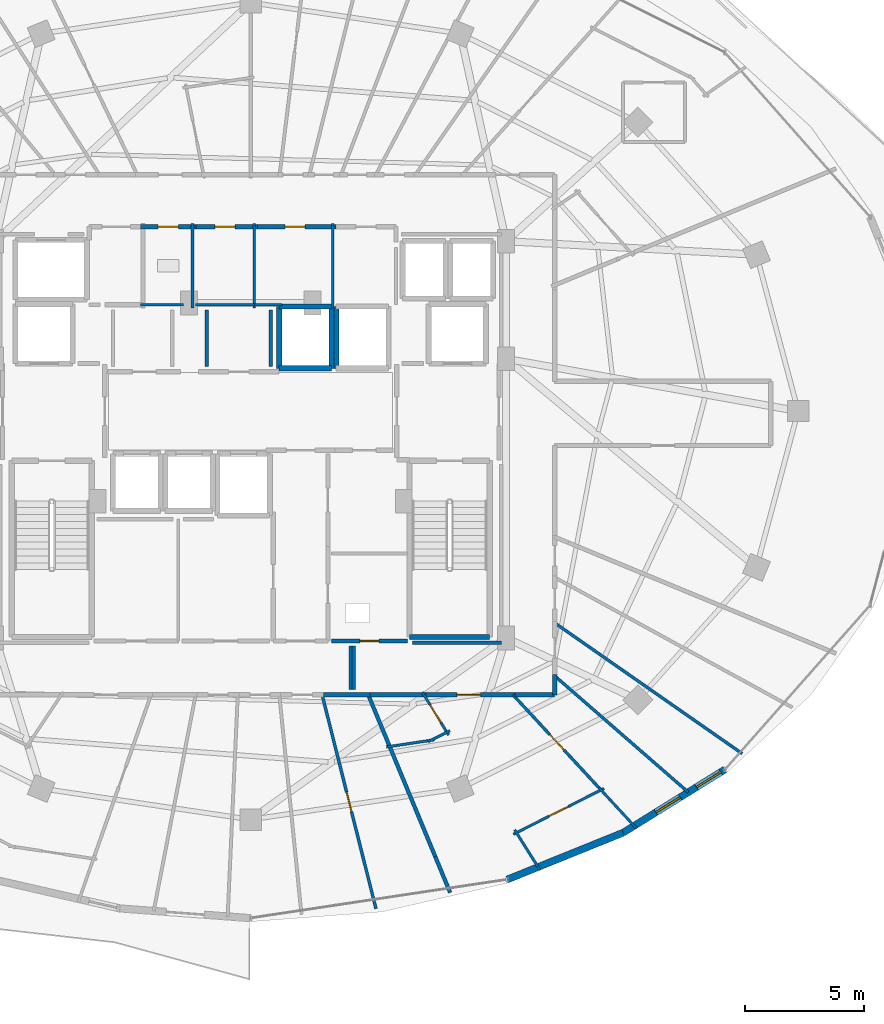
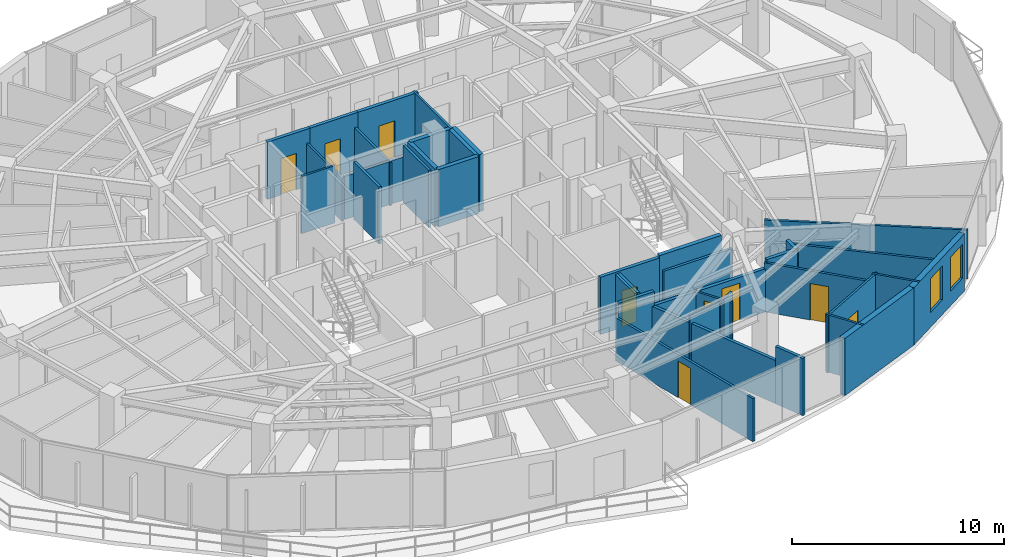
# One storey, part 27 of 33: 40 walls, 9 doors, 2 windows, 11 openings.
"""IFC4 building model written with IfcOpenShell, lengths in metres."""

from ifc_helpers import new_model, si_unit, direction, frame, frame_2d, origin, place, context, subcontext, project, spatial, rectangle, extrude, material, layer, layer_set, type_object, element, fill, save


model = new_model("IFC4")

# Units and contexts
model_context = context("Model", 3, precision=1e-05, world=origin(), true_north=direction((0.0, 1.0)))
body_context = subcontext(model_context, "Body", "Model", "MODEL_VIEW")
ifc_project = project(units=[si_unit("LENGTHUNIT", "METRE"), si_unit("AREAUNIT", "SQUARE_METRE"), si_unit("VOLUMEUNIT", "CUBIC_METRE"), si_unit("PLANEANGLEUNIT", "RADIAN"), si_unit("MASSUNIT", "GRAM", prefix="KILO")], contexts=[model_context])

# Site, building, storey
site_placement = place(None, origin())
site = spatial("IfcSite", under=ifc_project, at=site_placement, CompositionType="ELEMENT")
building_placement = place(site_placement, origin())
building = spatial("IfcBuilding", under=site, at=building_placement, Name="Vorneva Point Tower", CompositionType="ELEMENT")
storey_placement = place(building_placement, frame((0.0, 0.0, 217.85009765625)))
storey = spatial("IfcBuildingStorey", under=building, at=storey_placement, Name="L59", CompositionType="ELEMENT", Elevation=217.85009765625)

# Wall
ifc_material_1 = material(Name="Precast concrete B50 (C40/50)", Category="concrete")
ifc_layer_1 = layer(ifc_material_1, 0.300048828125)
ifc_layer_set_1 = layer_set([ifc_layer_1], Name="Precast concrete B50 (C40/50)")
wall_type_1 = type_object("IfcWallType", Name="WL-EXT-300", PredefinedType="STANDARD", material=ifc_layer_set_1)
wall_1_placement = place(storey_placement, frame((48.80322265625, 6.275146484375, 0.0), z_axis=(0.0, 0.0, 1.0), x_axis=(0.927111094334, 0.374786630981, 0.0)))
element("IfcWall", 1, at=wall_1_placement, inside=storey, type_object=wall_type_1, Name="L59 Pale-Metal Facade Spandrel Wall 14.1", PredefinedType="STANDARD", context=body_context, shape_type="SweptSolid", body=[
    extrude(rectangle(XDim=5.26416015625, YDim=0.300048828125, at=frame_2d((2.632080078125, 0.0))), origin(), (0.0, 0.0, 1.0), 3.289794921875),
])

# Wall, openings, windows
wall_2_placement = place(storey_placement, frame((53.68359375, 8.248046875, 0.0), z_axis=(0.0, 0.0, 1.0), x_axis=(0.849647657754, 0.527350791858, 0.0)))
wall_2 = element("IfcWall", 2, at=wall_2_placement, inside=storey, type_object=wall_type_1, Name="L59 Pale-Metal Facade Spandrel Wall 14.2", PredefinedType="STANDARD", context=body_context, shape_type="SweptSolid", body=[
    extrude(rectangle(XDim=5.03515625, YDim=0.300048828125, at=frame_2d((2.517578125, 0.0))), origin(), (0.0, 0.0, 1.0), 3.289794921875),
])
opening_1_placement = place(wall_2_placement, frame((1.62109375, 0.0, 0.85009765625)))
opening_1 = element("IfcOpeningElement", 3, at=opening_1_placement, cuts=wall_2, Name="Opening W-04", PredefinedType="OPENING", context=body_context, shape_type="SweptSolid", body=[
    extrude(rectangle(XDim=1.199951171875, YDim=1.949951171875, at=frame_2d((0.60009765625, 0.97509765625))), frame((0.0, 0.1650390625, 0.0), z_axis=(0.0, -1.0, 0.0), x_axis=(1.0, 0.0, 0.0)), (0.0, 0.0, 1.0), 0.329833984375),
])
opening_2_placement = place(wall_2_placement, frame((3.6357421875, 0.0, 0.85009765625)))
opening_2 = element("IfcOpeningElement", 4, at=opening_2_placement, cuts=wall_2, Name="Opening W-04", PredefinedType="OPENING", context=body_context, shape_type="SweptSolid", body=[
    extrude(rectangle(XDim=1.199951171875, YDim=1.949951171875, at=frame_2d((0.60009765625, 0.97509765625))), frame((0.0, 0.1650390625, 0.0), z_axis=(0.0, -1.0, 0.0), x_axis=(1.0, 0.0, 0.0)), (0.0, 0.0, 1.0), 0.329833984375),
])
ifc_material_2 = material(Name="Double low-e laminated glass IGU", Category="glass")
window_type = type_object("IfcWindowType", Name="WN-RES-1200", PartitioningType="SINGLE_PANEL", PredefinedType="WINDOW", material=ifc_material_2)
window_1_placement = place(opening_1_placement, origin())
window_1 = element("IfcWindow", 5, at=window_1_placement, inside=storey, type_object=window_type, Name="L59 Dwelling Vision Window 06", OverallHeight=1.949951171875, OverallWidth=1.199951171875, PartitioningType="SINGLE_PANEL", PredefinedType="WINDOW", context=body_context, shape_type="SweptSolid", body=[
    extrude(rectangle(XDim=1.199951171875, YDim=1.949951171875, at=frame_2d((0.60009765625, 0.97509765625))), frame((0.0, 0.030029296875, 0.0), z_axis=(0.0, -1.0, 0.0), x_axis=(1.0, 0.0, 0.0)), (0.0, 0.0, 1.0), 0.06005859375),
])
fill(opening_1, window_1)
window_2_placement = place(opening_2_placement, origin())
window_2 = element("IfcWindow", 6, at=window_2_placement, inside=storey, type_object=window_type, Name="L59 Dwelling Vision Window 07", OverallHeight=1.949951171875, OverallWidth=1.199951171875, PartitioningType="SINGLE_PANEL", PredefinedType="WINDOW", context=body_context, shape_type="SweptSolid", body=[
    extrude(rectangle(XDim=1.199951171875, YDim=1.949951171875, at=frame_2d((0.60009765625, 0.97509765625))), frame((0.0, 0.030029296875, 0.0), z_axis=(0.0, -1.0, 0.0), x_axis=(1.0, 0.0, 0.0)), (0.0, 0.0, 1.0), 0.06005859375),
])
fill(opening_2, window_2)

# Walls
ifc_material_3 = material(Name="Fire-rated acoustic gypsum stud partition", Category="gypsum")
ifc_layer_2 = layer(ifc_material_3, 0.110107421875)
ifc_layer_set_2 = layer_set([ifc_layer_2], Name="Fire-rated acoustic gypsum stud partition")
wall_type_2 = type_object("IfcWallType", Name="WL-PART-110", PredefinedType="PARTITIONING", material=ifc_layer_set_2)
wall_3_placement = place(storey_placement, frame((35.550048828125, 30.340087890625, 0.0), z_axis=(0.0, 0.0, 1.0), x_axis=(0.0, 1.0, 0.0)))
element("IfcWall", 7, at=wall_3_placement, inside=storey, type_object=wall_type_2, Name="L59 Interior Partition 020", PredefinedType="PARTITIONING", context=body_context, shape_type="SweptSolid", body=[
    extrude(rectangle(XDim=3.559814453125, YDim=0.110107421875, at=frame_2d((1.77978515625, 0.0))), origin(), (0.0, 0.0, 1.0), 2.48193359375),
])
wall_4_placement = place(storey_placement, frame((33.360107421875, 30.47998046875, 0.0), z_axis=(0.0, 0.0, 1.0), x_axis=(1.0, 0.0, 0.0)))
element("IfcWall", 8, at=wall_4_placement, inside=storey, type_object=wall_type_2, Name="L59 Interior Partition 021", PredefinedType="PARTITIONING", context=body_context, shape_type="SweptSolid", body=[
    extrude(rectangle(XDim=1.809814453125, YDim=0.110107421875, at=frame_2d((0.90478515625, 0.0))), origin(), (0.0, 0.0, 1.0), 3.289794921875),
])
wall_5_placement = place(storey_placement, frame((38.14990234375, 30.340087890625, 0.0), z_axis=(0.0, 0.0, 1.0), x_axis=(0.0, 1.0, 0.0)))
element("IfcWall", 9, at=wall_5_placement, inside=storey, type_object=wall_type_2, Name="L59 Interior Partition 023", PredefinedType="PARTITIONING", context=body_context, shape_type="SweptSolid", body=[
    extrude(rectangle(XDim=3.559814453125, YDim=0.110107421875, at=frame_2d((1.77978515625, 0.0))), origin(), (0.0, 0.0, 1.0), 2.48193359375),
])
wall_6_placement = place(storey_placement, frame((35.679931640625, 30.47998046875, 0.0), z_axis=(0.0, 0.0, 1.0), x_axis=(1.0, 0.0, 0.0)))
element("IfcWall", 10, at=wall_6_placement, inside=storey, type_object=wall_type_2, Name="L59 Interior Partition 024", PredefinedType="PARTITIONING", context=body_context, shape_type="SweptSolid", body=[
    extrude(rectangle(XDim=2.594970703125, YDim=0.110107421875, at=frame_2d((1.29736328125, 0.0))), origin(), (0.0, 0.0, 1.0), 2.48193359375),
])
wall_7_placement = place(storey_placement, frame((41.449951171875, 30.340087890625, 0.0), z_axis=(0.0, 0.0, 1.0), x_axis=(0.0, 1.0, 0.0)))
element("IfcWall", 11, at=wall_7_placement, inside=storey, type_object=wall_type_2, Name="L59 Interior Partition 026", PredefinedType="PARTITIONING", context=body_context, shape_type="SweptSolid", body=[
    extrude(rectangle(XDim=3.559814453125, YDim=0.110107421875, at=frame_2d((1.77978515625, 0.0))), origin(), (0.0, 0.0, 1.0), 3.289794921875),
])
wall_8_placement = place(storey_placement, frame((38.1650390625, 30.47998046875, 0.0), z_axis=(0.0, 0.0, 1.0), x_axis=(1.0, 0.0, 0.0)))
element("IfcWall", 12, at=wall_8_placement, inside=storey, type_object=wall_type_2, Name="L59 Interior Partition 027", PredefinedType="PARTITIONING", context=body_context, shape_type="SweptSolid", body=[
    extrude(rectangle(XDim=1.155029296875, YDim=0.110107421875, at=frame_2d((0.57763671875, 0.0))), origin(), (0.0, 0.0, 1.0), 2.48193359375),
])

# Wall, opening, door
wall_9_placement = place(storey_placement, frame((45.22412109375, 14.16943359375, 0.0), z_axis=(0.0, 0.0, 1.0), x_axis=(0.52123627541, -0.853412412141, 0.0)))
wall_9 = element("IfcWall", 13, at=wall_9_placement, inside=storey, type_object=wall_type_2, Name="L59 Interior Partition 152", PredefinedType="PARTITIONING", context=body_context, shape_type="SweptSolid", body=[
    extrude(rectangle(XDim=2.12548828125, YDim=0.110107421875, at=frame_2d((1.062744140625, 0.0))), origin(), (0.0, 0.0, 1.0), 2.48193359375),
])
opening_3_placement = place(wall_9_placement, frame((0.6376953125, 0.0, 0.0)))
opening_3 = element("IfcOpeningElement", 14, at=opening_3_placement, cuts=wall_9, Name="Opening ID-02", PredefinedType="OPENING", context=body_context, shape_type="SweptSolid", body=[
    extrude(rectangle(XDim=0.85009765625, YDim=2.10009765625, at=frame_2d((0.425048828125, 1.050048828125))), frame((0.0, 0.06982421875, 0.0), z_axis=(0.0, -1.0, 0.0), x_axis=(1.0, 0.0, 0.0)), (0.0, 0.0, 1.0), 0.139892578125),
])
ifc_material_4 = material(Name="Engineered oak fire-rated door leaf", Category="wood")
door_type_1 = type_object("IfcDoorType", Name="DR-BATH-850", OperationType="NOTDEFINED", PredefinedType="DOOR", material=ifc_material_4)
door_1_placement = place(opening_3_placement, origin())
door_1 = element("IfcDoor", 15, at=door_1_placement, inside=storey, type_object=door_type_1, Name="L59 Door Living and Dining Room L59-05 / Bathroom L59-05", OperationType="SINGLE_SWING_LEFT", OverallHeight=2.10009765625, OverallWidth=0.85009765625, PredefinedType="DOOR", context=body_context, shape_type="SweptSolid", body=[
    extrude(rectangle(XDim=0.85009765625, YDim=2.10009765625, at=frame_2d((0.425048828125, 1.050048828125))), frame((0.0, 0.02490234375, 0.0), z_axis=(0.0, -1.0, 0.0), x_axis=(1.0, 0.0, 0.0)), (0.0, 0.0, 1.0), 0.050048828125),
])
fill(opening_3, door_1)

# Walls
wall_10_placement = place(storey_placement, frame((46.384033203125, 12.5380859375, 0.0), z_axis=(0.0, 0.0, 1.0), x_axis=(-0.892613755874, -0.450822229737, 0.0)))
element("IfcWall", 16, at=wall_10_placement, inside=storey, type_object=wall_type_2, Name="L59 Interior Partition 153", PredefinedType="PARTITIONING", context=body_context, shape_type="SweptSolid", body=[
    extrude(rectangle(XDim=1.02734375, YDim=0.110107421875, at=frame_2d((0.513671875, 0.0))), origin(), (0.0, 0.0, 1.0), 2.97900390625),
])
wall_11_placement = place(storey_placement, frame((45.73046875, 12.15869140625, 0.0), z_axis=(0.0, 0.0, 1.0), x_axis=(-0.98887923552, -0.148720736812, 0.0)))
element("IfcWall", 17, at=wall_11_placement, inside=storey, type_object=wall_type_2, Name="L59 Interior Partition 154", PredefinedType="PARTITIONING", context=body_context, shape_type="SweptSolid", body=[
    extrude(rectangle(XDim=2.04052734375, YDim=0.110107421875, at=frame_2d((1.020263671875, 0.0))), origin(), (0.0, 0.0, 1.0), 2.97900390625),
])

# Wall, opening, door
wall_12_placement = place(storey_placement, frame((49.06396484375, 8.182861328125, 0.0), z_axis=(0.0, 0.0, 1.0), x_axis=(0.892520393298, 0.451007037136, 0.0)))
wall_12 = element("IfcWall", 18, at=wall_12_placement, inside=storey, type_object=wall_type_2, Name="L59 Interior Partition 155", PredefinedType="PARTITIONING", context=body_context, shape_type="SweptSolid", body=[
    extrude(rectangle(XDim=4.268798828125, YDim=0.110107421875, at=frame_2d((2.13427734375, 0.0))), origin(), (0.0, 0.0, 1.0), 3.289794921875),
])
opening_4_placement = place(wall_12_placement, frame((1.684326171875, 0.0, 0.0)))
opening_4 = element("IfcOpeningElement", 19, at=opening_4_placement, cuts=wall_12, Name="Opening ID-01", PredefinedType="OPENING", context=body_context, shape_type="SweptSolid", body=[
    extrude(rectangle(XDim=0.89990234375, YDim=2.10009765625, at=frame_2d((0.449951171875, 1.050048828125))), frame((0.0, 0.06982421875, 0.0), z_axis=(0.0, -1.0, 0.0), x_axis=(1.0, 0.0, 0.0)), (0.0, 0.0, 1.0), 0.139892578125),
])
door_type_2 = type_object("IfcDoorType", Name="DR-ROOM-900", OperationType="NOTDEFINED", PredefinedType="DOOR", material=ifc_material_4)
door_2_placement = place(opening_4_placement, origin())
door_2 = element("IfcDoor", 20, at=door_2_placement, inside=storey, type_object=door_type_2, Name="L59 Door Living and Dining Room L59-05 / Kitchen L59-05", OperationType="SINGLE_SWING_RIGHT", OverallHeight=2.10009765625, OverallWidth=0.89990234375, PredefinedType="DOOR", context=body_context, shape_type="SweptSolid", body=[
    extrude(rectangle(XDim=0.89990234375, YDim=2.10009765625, at=frame_2d((0.449951171875, 1.050048828125))), frame((0.0, 0.02490234375, 0.0), z_axis=(0.0, -1.0, 0.0), x_axis=(1.0, 0.0, 0.0)), (0.0, 0.0, 1.0), 0.050048828125),
])
fill(opening_4, door_2)

# Walls
wall_13_placement = place(storey_placement, frame((50.174560546875, 6.681396484375, 0.0), z_axis=(0.0, 0.0, 1.0), x_axis=(-0.532930456912, 0.846159044208, 0.0)))
element("IfcWall", 21, at=wall_13_placement, inside=storey, type_object=wall_type_2, Name="L59 Interior Partition 156", PredefinedType="PARTITIONING", context=body_context, shape_type="SweptSolid", body=[
    extrude(rectangle(XDim=1.989013671875, YDim=0.110107421875, at=frame_2d((0.99462890625, 0.0))), origin(), (0.0, 0.0, 1.0), 3.289794921875),
])
wall_14_placement = place(storey_placement, frame((54.239990234375, 8.43212890625, 0.0), z_axis=(0.0, 0.0, 1.0), x_axis=(-0.678818101482, 0.734306465381, 0.0)))
element("IfcWall", 22, at=wall_14_placement, inside=storey, type_object=wall_type_2, Name="L59 Interior Partition 158", PredefinedType="PARTITIONING", context=body_context, shape_type="SweptSolid", body=[
    extrude(rectangle(XDim=2.33642578125, YDim=0.110107421875, at=frame_2d((1.168212890625, 0.0))), origin(), (0.0, 0.0, 1.0), 3.289794921875),
])

# Wall, opening, door
ifc_layer_3 = layer(ifc_material_3, 0.125)
ifc_layer_set_3 = layer_set([ifc_layer_3], Name="Fire-rated acoustic gypsum stud partition")
wall_type_3 = type_object("IfcWallType", Name="WL-PART-125", PredefinedType="PARTITIONING", material=ifc_layer_set_3)
wall_15_placement = place(storey_placement, frame((43.27490234375, 5.0439453125, 0.0), z_axis=(0.0, 0.0, 1.0), x_axis=(-0.244087876961, 0.969753117201, 0.0)))
wall_15 = element("IfcWall", 23, at=wall_15_placement, inside=storey, type_object=wall_type_3, Name="L59 Interior Partition 149", PredefinedType="PARTITIONING", context=body_context, shape_type="SweptSolid", body=[
    extrude(rectangle(XDim=9.287109375, YDim=0.125, at=frame_2d((4.6435546875, 0.0))), origin(), (0.0, 0.0, 1.0), 2.48193359375),
])
opening_5_placement = place(wall_15_placement, frame((4.218505859375, 0.0, 0.0)))
opening_5 = element("IfcOpeningElement", 24, at=opening_5_placement, cuts=wall_15, Name="Opening ID-02", PredefinedType="OPENING", context=body_context, shape_type="SweptSolid", body=[
    extrude(rectangle(XDim=0.85009765625, YDim=2.10009765625, at=frame_2d((0.425048828125, 1.050048828125))), frame((0.0, 0.077392578125, 0.0), z_axis=(0.0, -1.0, 0.0), x_axis=(1.0, 0.0, 0.0)), (0.0, 0.0, 1.0), 0.15478515625),
])
door_3_placement = place(opening_5_placement, origin())
door_3 = element("IfcDoor", 25, at=door_3_placement, inside=storey, type_object=door_type_1, Name="L59 Access Door Bedroom L59-04.4", OperationType="SINGLE_SWING_LEFT", OverallHeight=2.10009765625, OverallWidth=0.85009765625, PredefinedType="DOOR", context=body_context, shape_type="SweptSolid", body=[
    extrude(rectangle(XDim=0.85009765625, YDim=2.10009765625, at=frame_2d((0.425048828125, 1.050048828125))), frame((0.0, 0.02490234375, 0.0), z_axis=(0.0, -1.0, 0.0), x_axis=(1.0, 0.0, 0.0)), (0.0, 0.0, 1.0), 0.050048828125),
])
fill(opening_5, door_3)

wall_16_placement = place(storey_placement, frame((52.7490234375, 10.044921875, 0.0), z_axis=(0.0, 0.0, 1.0), x_axis=(-0.678882171058, 0.734247232081, 0.0)))
wall_16 = element("IfcWall", 26, at=wall_16_placement, inside=storey, type_object=wall_type_3, Name="L59 Interior Partition 157", PredefinedType="PARTITIONING", context=body_context, shape_type="SweptSolid", body=[
    extrude(rectangle(XDim=5.454833984375, YDim=0.125, at=frame_2d((2.7275390625, 0.0))), origin(), (0.0, 0.0, 1.0), 2.823974609375),
])
opening_6_placement = place(wall_16_placement, frame((2.27734375, 0.0, 0.0)))
opening_6 = element("IfcOpeningElement", 27, at=opening_6_placement, cuts=wall_16, Name="Opening ID-01", PredefinedType="OPENING", context=body_context, shape_type="SweptSolid", body=[
    extrude(rectangle(XDim=0.89990234375, YDim=2.10009765625, at=frame_2d((0.449951171875, 1.050048828125))), frame((0.0, 0.077392578125, 0.0), z_axis=(0.0, -1.0, 0.0), x_axis=(1.0, 0.0, 0.0)), (0.0, 0.0, 1.0), 0.15478515625),
])
door_4_placement = place(opening_6_placement, origin())
door_4 = element("IfcDoor", 28, at=door_4_placement, inside=storey, type_object=door_type_2, Name="L59 Door Living and Dining Room L59-05 / Master Bedroom L59-05.1", OperationType="SINGLE_SWING_LEFT", OverallHeight=2.10009765625, OverallWidth=0.89990234375, PredefinedType="DOOR", context=body_context, shape_type="SweptSolid", body=[
    extrude(rectangle(XDim=0.89990234375, YDim=2.10009765625, at=frame_2d((0.449951171875, 1.050048828125))), frame((0.0, 0.02490234375, 0.0), z_axis=(0.0, -1.0, 0.0), x_axis=(1.0, 0.0, 0.0)), (0.0, 0.0, 1.0), 0.050048828125),
])
fill(opening_6, door_4)

# Walls
wall_17_placement = place(storey_placement, frame((56.422119140625, 9.950927734375, 0.0), z_axis=(0.0, 0.0, 1.0), x_axis=(-0.753978537067, 0.656899052856, 0.0)))
element("IfcWall", 29, at=wall_17_placement, inside=storey, type_object=wall_type_3, Name="L59 Interior Partition 159", PredefinedType="PARTITIONING", context=body_context, shape_type="SweptSolid", body=[
    extrude(rectangle(XDim=7.45654296875, YDim=0.125, at=frame_2d((3.728271484375, 0.0))), origin(), (0.0, 0.0, 1.0), 2.823974609375),
])
wall_18_placement = place(storey_placement, frame((58.69189453125, 11.577880859375, 0.0), z_axis=(0.0, 0.0, 1.0), x_axis=(-0.820357038452, 0.571851667361, 0.0)))
element("IfcWall", 30, at=wall_18_placement, inside=storey, type_object=wall_type_3, Name="L59 Interior Partition 160", PredefinedType="PARTITIONING", context=body_context, shape_type="SweptSolid", body=[
    extrude(rectangle(XDim=9.6201171875, YDim=0.125, at=frame_2d((4.81005859375, 0.0))), origin(), (0.0, 0.0, 1.0), 2.823974609375),
])
ifc_layer_4 = layer(ifc_material_3, 0.139892578125)
ifc_layer_set_4 = layer_set([ifc_layer_4], Name="Fire-rated acoustic gypsum stud partition")
wall_type_4 = type_object("IfcWallType", Name="WL-PART-140", PredefinedType="PARTITIONING", material=ifc_layer_set_4)
for number, where, z_axis, x_axis, name in (
    (31, (36.14990234375, 30.260009765625, 0.0), (0.0, 0.0, 1.0), (0.0, -1.0, 0.0), "L59 Interior Closure Partition 172"),
    (32, (38.85009765625, 27.8701171875, 0.0), (0.0, 0.0, 1.0), (0.0, 1.0, 0.0), "L59 Interior Closure Partition 173"),
):
    element("IfcWall", number, at=place(storey_placement, frame(where, z_axis=z_axis, x_axis=x_axis)), inside=storey, type_object=wall_type_4, Name=name, PredefinedType="PARTITIONING", context=body_context, shape_type="SweptSolid", body=[
        extrude(rectangle(XDim=2.389892578125, YDim=0.139892578125, at=frame_2d((1.19482421875, 0.0))), origin(), (0.0, 0.0, 1.0), 3.289794921875),
    ])
for number, where, z_axis, x_axis, name in (
    (33, (42.199951171875, 16.10009765625, 0.0), (0.0, 0.0, 1.0), (0.0, -1.0, 0.0), "L59 Interior Closure Partition 181"),
    (34, (42.340087890625, 14.27001953125, 0.0), (0.0, 0.0, 1.0), (0.0, 1.0, 0.0), "L59 Interior Closure Partition 182"),
):
    element("IfcWall", number, at=place(storey_placement, frame(where, z_axis=z_axis, x_axis=x_axis)), inside=storey, type_object=wall_type_4, Name=name, PredefinedType="PARTITIONING", context=body_context, shape_type="SweptSolid", body=[
        extrude(rectangle(XDim=1.830078125, YDim=0.139892578125, at=frame_2d((0.9150390625, 0.0))), origin(), (0.0, 0.0, 1.0), 3.289794921875),
    ])
wall_19_placement = place(storey_placement, frame((44.804931640625, 16.239990234375, 0.0), z_axis=(0.0, 0.0, 1.0), x_axis=(1.0, 0.0, 0.0)))
element("IfcWall", 35, at=wall_19_placement, inside=storey, type_object=wall_type_4, Name="L59 Interior Closure Partition 183", PredefinedType="PARTITIONING", context=body_context, shape_type="SweptSolid", body=[
    extrude(rectangle(XDim=3.7451171875, YDim=0.139892578125, at=frame_2d((1.87255859375, 0.0))), origin(), (0.0, 0.0, 1.0), 2.48193359375),
])
ifc_layer_5 = layer(ifc_material_3, 0.159912109375)
ifc_layer_set_5 = layer_set([ifc_layer_5], Name="Fire-rated acoustic gypsum stud partition")
wall_type_5 = type_object("IfcWallType", Name="WL-PART-160", PredefinedType="PARTITIONING", material=ifc_layer_set_5)
wall_20_placement = place(storey_placement, frame((46.39794921875, 5.72509765625, 0.0), z_axis=(0.0, 0.0, 1.0), x_axis=(-0.382789247432, 0.923835695376, 0.0)))
element("IfcWall", 36, at=wall_20_placement, inside=storey, type_object=wall_type_5, Name="L59 Interior Partition 150", PredefinedType="PARTITIONING", context=body_context, shape_type="SweptSolid", body=[
    extrude(rectangle(XDim=1.64306640625, YDim=0.159912109375, at=frame_2d((0.821533203125, 0.0))), origin(), (0.0, 0.0, 1.0), 3.289794921875),
])
wall_21_placement = place(storey_placement, frame((45.76904296875, 7.242919921875, 0.0), z_axis=(0.0, 0.0, 1.0), x_axis=(-0.382623964136, 0.923904162816, 0.0)))
element("IfcWall", 37, at=wall_21_placement, inside=storey, type_object=wall_type_5, Name="L59 Interior Partition 151", PredefinedType="PARTITIONING", context=body_context, shape_type="SweptSolid", body=[
    extrude(rectangle(XDim=7.36767578125, YDim=0.159912109375, at=frame_2d((3.683837890625, 0.0))), origin(), (0.0, 0.0, 1.0), 2.48193359375),
])

# Wall, opening, door
ifc_material_5 = material(Name="Autoclaved aerated concrete blockwork", Category="masonry")
ifc_layer_6 = layer(ifc_material_5, 0.179931640625)
ifc_layer_set_6 = layer_set([ifc_layer_6], Name="Autoclaved aerated concrete blockwork")
wall_type_6 = type_object("IfcWallType", Name="WL-PART-180", PredefinedType="PARTITIONING", material=ifc_layer_set_6)
wall_22_placement = place(storey_placement, frame((41.39990234375, 16.320068359375, 0.0), z_axis=(0.0, 0.0, 1.0), x_axis=(1.0, 0.0, 0.0)))
wall_22 = element("IfcWall", 38, at=wall_22_placement, inside=storey, type_object=wall_type_6, Name="L59 Interior Partition 019", PredefinedType="PARTITIONING", context=body_context, shape_type="SweptSolid", body=[
    extrude(rectangle(XDim=3.2001953125, YDim=0.179931640625, at=frame_2d((1.60009765625, 0.0))), origin(), (0.0, 0.0, 1.0), 3.289794921875),
])
opening_7_placement = place(wall_22_placement, frame((1.199951171875, 0.0, 0.0)))
opening_7 = element("IfcOpeningElement", 39, at=opening_7_placement, cuts=wall_22, Name="Opening RD-01", PredefinedType="OPENING", context=body_context, shape_type="SweptSolid", body=[
    extrude(rectangle(XDim=0.800048828125, YDim=2.050048828125, at=frame_2d((0.39990234375, 1.02490234375))), frame((0.0, 0.10498046875, 0.0), z_axis=(0.0, -1.0, 0.0), x_axis=(1.0, 0.0, 0.0)), (0.0, 0.0, 1.0), 0.209716796875),
])
ifc_material_6 = material(Name="Fire-rated powder-coated steel", Category="steel")
door_type_3 = type_object("IfcDoorType", Name="DR-RSR-800", OperationType="SINGLE_SWING_LEFT", PredefinedType="DOOR", material=ifc_material_6)
door_5_placement = place(opening_7_placement, origin())
door_5 = element("IfcDoor", 40, at=door_5_placement, inside=storey, type_object=door_type_3, Name="L59 Door Electrical Riser / L59 Circulation Corridor", OperationType="SINGLE_SWING_RIGHT", OverallHeight=2.050048828125, OverallWidth=0.800048828125, PredefinedType="DOOR", context=body_context, shape_type="SweptSolid", body=[
    extrude(rectangle(XDim=0.800048828125, YDim=2.050048828125, at=frame_2d((0.39990234375, 1.02490234375))), frame((0.0, 0.02490234375, 0.0), z_axis=(0.0, -1.0, 0.0), x_axis=(1.0, 0.0, 0.0)), (0.0, 0.0, 1.0), 0.050048828125),
])
fill(opening_7, door_5)

wall_23_placement = place(storey_placement, frame((35.68994140625, 33.760009765625, 0.0), z_axis=(0.0, 0.0, 1.0), x_axis=(-1.0, 0.0, 0.0)))
wall_23 = element("IfcWall", 41, at=wall_23_placement, inside=storey, type_object=wall_type_6, Name="L59 Interior Partition 022", PredefinedType="PARTITIONING", context=body_context, shape_type="SweptSolid", body=[
    extrude(rectangle(XDim=2.329833984375, YDim=0.179931640625, at=frame_2d((1.1650390625, 0.0))), origin(), (0.0, 0.0, 1.0), 3.289794921875),
])
opening_8_placement = place(wall_23_placement, frame((0.739990234375, 0.0, 0.0)))
opening_8 = element("IfcOpeningElement", 42, at=opening_8_placement, cuts=wall_23, Name="Opening ID-02", PredefinedType="OPENING", context=body_context, shape_type="SweptSolid", body=[
    extrude(rectangle(XDim=0.85009765625, YDim=2.10009765625, at=frame_2d((0.425048828125, 1.050048828125))), frame((0.0, 0.10498046875, 0.0), z_axis=(0.0, -1.0, 0.0), x_axis=(1.0, 0.0, 0.0)), (0.0, 0.0, 1.0), 0.209716796875),
])
door_6_placement = place(opening_8_placement, origin())
door_6 = element("IfcDoor", 43, at=door_6_placement, inside=storey, type_object=door_type_1, Name="L59 Door Accessible WC / L59 Circulation Corridor", OperationType="SINGLE_SWING_LEFT", OverallHeight=2.10009765625, OverallWidth=0.85009765625, PredefinedType="DOOR", context=body_context, shape_type="SweptSolid", body=[
    extrude(rectangle(XDim=0.85009765625, YDim=2.10009765625, at=frame_2d((0.425048828125, 1.050048828125))), frame((0.0, 0.02490234375, 0.0), z_axis=(0.0, -1.0, 0.0), x_axis=(1.0, 0.0, 0.0)), (0.0, 0.0, 1.0), 0.050048828125),
])
fill(opening_8, door_6)

wall_24_placement = place(storey_placement, frame((38.2900390625, 33.760009765625, 0.0), z_axis=(0.0, 0.0, 1.0), x_axis=(-1.0, 0.0, 0.0)))
wall_24 = element("IfcWall", 44, at=wall_24_placement, inside=storey, type_object=wall_type_6, Name="L59 Interior Partition 025", PredefinedType="PARTITIONING", context=body_context, shape_type="SweptSolid", body=[
    extrude(rectangle(XDim=2.739990234375, YDim=0.179931640625, at=frame_2d((1.3701171875, 0.0))), origin(), (0.0, 0.0, 1.0), 3.289794921875),
])
opening_9_placement = place(wall_24_placement, frame((0.945068359375, 0.0, 0.0)))
opening_9 = element("IfcOpeningElement", 45, at=opening_9_placement, cuts=wall_24, Name="Opening ID-02", PredefinedType="OPENING", context=body_context, shape_type="SweptSolid", body=[
    extrude(rectangle(XDim=0.85009765625, YDim=2.10009765625, at=frame_2d((0.425048828125, 1.050048828125))), frame((0.0, 0.10498046875, 0.0), z_axis=(0.0, -1.0, 0.0), x_axis=(1.0, 0.0, 0.0)), (0.0, 0.0, 1.0), 0.209716796875),
])
door_7_placement = place(opening_9_placement, origin())
door_7 = element("IfcDoor", 46, at=door_7_placement, inside=storey, type_object=door_type_1, Name="L59 Door Public Male WC / L59 Circulation Corridor", OperationType="SINGLE_SWING_RIGHT", OverallHeight=2.10009765625, OverallWidth=0.85009765625, PredefinedType="DOOR", context=body_context, shape_type="SweptSolid", body=[
    extrude(rectangle(XDim=0.85009765625, YDim=2.10009765625, at=frame_2d((0.425048828125, 1.050048828125))), frame((0.0, 0.02490234375, 0.0), z_axis=(0.0, -1.0, 0.0), x_axis=(1.0, 0.0, 0.0)), (0.0, 0.0, 1.0), 0.050048828125),
])
fill(opening_9, door_7)

wall_25_placement = place(storey_placement, frame((41.590087890625, 33.760009765625, 0.0), z_axis=(0.0, 0.0, 1.0), x_axis=(-1.0, 0.0, 0.0)))
wall_25 = element("IfcWall", 47, at=wall_25_placement, inside=storey, type_object=wall_type_6, Name="L59 Interior Partition 028", PredefinedType="PARTITIONING", context=body_context, shape_type="SweptSolid", body=[
    extrude(rectangle(XDim=3.440185546875, YDim=0.179931640625, at=frame_2d((1.72021484375, 0.0))), origin(), (0.0, 0.0, 1.0), 3.289794921875),
])
opening_10_placement = place(wall_25_placement, frame((1.294921875, 0.0, 0.0)))
opening_10 = element("IfcOpeningElement", 48, at=opening_10_placement, cuts=wall_25, Name="Opening ID-02", PredefinedType="OPENING", context=body_context, shape_type="SweptSolid", body=[
    extrude(rectangle(XDim=0.85009765625, YDim=2.10009765625, at=frame_2d((0.425048828125, 1.050048828125))), frame((0.0, 0.10498046875, 0.0), z_axis=(0.0, -1.0, 0.0), x_axis=(1.0, 0.0, 0.0)), (0.0, 0.0, 1.0), 0.209716796875),
])
door_8_placement = place(opening_10_placement, origin())
door_8 = element("IfcDoor", 49, at=door_8_placement, inside=storey, type_object=door_type_1, Name="L59 Door Public Female WC / L59 Circulation Corridor", OperationType="SINGLE_SWING_LEFT", OverallHeight=2.10009765625, OverallWidth=0.85009765625, PredefinedType="DOOR", context=body_context, shape_type="SweptSolid", body=[
    extrude(rectangle(XDim=0.85009765625, YDim=2.10009765625, at=frame_2d((0.425048828125, 1.050048828125))), frame((0.0, 0.02490234375, 0.0), z_axis=(0.0, -1.0, 0.0), x_axis=(1.0, 0.0, 0.0)), (0.0, 0.0, 1.0), 0.050048828125),
])
fill(opening_10, door_8)

# Wall
wall_26_placement = place(storey_placement, frame((41.070068359375, 14.050048828125, 0.0), z_axis=(0.0, 0.0, 1.0), x_axis=(1.0, 0.0, 0.0)))
element("IfcWall", 50, at=wall_26_placement, inside=storey, type_object=wall_type_6, Name="L59 Interior Partition 071", PredefinedType="PARTITIONING", context=body_context, shape_type="SweptSolid", body=[
    extrude(rectangle(XDim=1.94482421875, YDim=0.179931640625, at=frame_2d((0.972412109375, 0.0))), origin(), (0.0, 0.0, 1.0), 3.289794921875),
])

# Wall, opening, door
wall_27_placement = place(storey_placement, frame((45.237060546875, 14.050048828125, 0.0), z_axis=(0.0, 0.0, 1.0), x_axis=(1.0, 0.0, 0.0)))
wall_27 = element("IfcWall", 51, at=wall_27_placement, inside=storey, type_object=wall_type_6, Name="L59 Interior Partition 072", PredefinedType="PARTITIONING", context=body_context, shape_type="SweptSolid", body=[
    extrude(rectangle(XDim=3.890869140625, YDim=0.179931640625, at=frame_2d((1.9453125, 0.0))), origin(), (0.0, 0.0, 1.0), 2.48193359375),
])
opening_11_placement = place(wall_27_placement, frame((1.445556640625, 0.0, 0.0)))
opening_11 = element("IfcOpeningElement", 52, at=opening_11_placement, cuts=wall_27, Name="Opening UD-01", PredefinedType="OPENING", context=body_context, shape_type="SweptSolid", body=[
    extrude(rectangle(XDim=1.0, YDim=2.14990234375, at=frame_2d((0.5, 1.074951171875))), frame((0.0, 0.10498046875, 0.0), z_axis=(0.0, -1.0, 0.0), x_axis=(1.0, 0.0, 0.0)), (0.0, 0.0, 1.0), 0.209716796875),
])
door_type_4 = type_object("IfcDoorType", Name="DR-UNIT-1000", OperationType="NOTDEFINED", PredefinedType="DOOR", material=ifc_material_4)
door_9_placement = place(opening_11_placement, origin())
door_9 = element("IfcDoor", 53, at=door_9_placement, inside=storey, type_object=door_type_4, Name="L59 Door L59 Circulation Corridor / Living and Dining Room L59-05", OperationType="SINGLE_SWING_LEFT", OverallHeight=2.14990234375, OverallWidth=1.0, PredefinedType="DOOR", context=body_context, shape_type="SweptSolid", body=[
    extrude(rectangle(XDim=1.0, YDim=2.14990234375, at=frame_2d((0.5, 1.074951171875))), frame((0.0, 0.02490234375, 0.0), z_axis=(0.0, -1.0, 0.0), x_axis=(1.0, 0.0, 0.0)), (0.0, 0.0, 1.0), 0.050048828125),
])
fill(opening_11, door_9)

# Walls
wall_28_placement = place(storey_placement, frame((42.875, 14.050048828125, 0.0), z_axis=(0.0, 0.0, 1.0), x_axis=(1.0, 0.0, 0.0)))
element("IfcWall", 54, at=wall_28_placement, inside=storey, type_object=wall_type_6, Name="L59 Interior Partition 073", PredefinedType="PARTITIONING", context=body_context, shape_type="SweptSolid", body=[
    extrude(rectangle(XDim=2.501953125, YDim=0.179931640625, at=frame_2d((1.2509765625, 0.0))), origin(), (0.0, 0.0, 1.0), 2.48193359375),
])
wall_29_placement = place(storey_placement, frame((49.1279296875, 14.050048828125, 0.0), z_axis=(0.0, 0.0, 1.0), x_axis=(1.0, 0.0, 0.0)))
element("IfcWall", 55, at=wall_29_placement, inside=storey, type_object=wall_type_6, Name="L59 Interior Partition 074", PredefinedType="PARTITIONING", context=body_context, shape_type="SweptSolid", body=[
    extrude(rectangle(XDim=1.672119140625, YDim=0.179931640625, at=frame_2d((0.8359375, 0.0))), origin(), (0.0, 0.0, 1.0), 2.97900390625),
])
wall_30_placement = place(storey_placement, frame((50.800048828125, 14.050048828125, 0.0), z_axis=(0.0, 0.0, 1.0), x_axis=(0.0, 1.0, 0.0)))
element("IfcWall", 56, at=wall_30_placement, inside=storey, type_object=wall_type_6, Name="L59 Interior Partition 075", PredefinedType="PARTITIONING", context=body_context, shape_type="SweptSolid", body=[
    extrude(rectangle(XDim=0.85888671875, YDim=0.179931640625, at=frame_2d((0.429443359375, 0.0))), origin(), (0.0, 0.0, 1.0), 2.97900390625),
])
ifc_material_7 = material(Name="Concrete B50 (C40/50)", Category="concrete")
ifc_layer_7 = layer(ifc_material_7, 0.219970703125)
ifc_layer_set_7 = layer_set([ifc_layer_7], Name="Concrete B50 (C40/50)")
wall_type_7 = type_object("IfcWallType", Name="WL-SHFT-220", PredefinedType="SOLIDWALL", material=ifc_layer_set_7)
wall_31_placement = place(storey_placement, frame((48.06005859375, 16.489990234375, 0.0), z_axis=(0.0, 0.0, 1.0), x_axis=(-1.0, 0.0, 0.0)))
element("IfcWall", 57, at=wall_31_placement, inside=storey, type_object=wall_type_7, Name="L59 Exit Stair ST2 Shaft Wall far", PredefinedType="SOLIDWALL", context=body_context, shape_type="SweptSolid", body=[
    extrude(rectangle(XDim=3.3701171875, YDim=0.219970703125, at=frame_2d((1.68505859375, 0.0))), origin(), (0.0, 0.0, 1.0), 3.289794921875),
])
wall_32_placement = place(storey_placement, frame((39.199951171875, 27.800048828125, 0.0), z_axis=(0.0, 0.0, 1.0), x_axis=(1.0, 0.0, 0.0)))
element("IfcWall", 58, at=wall_32_placement, inside=storey, type_object=wall_type_7, Name="L59 Lift PL7 Shaft Wall -Y", PredefinedType="SOLIDWALL", context=body_context, shape_type="SweptSolid", body=[
    extrude(rectangle(XDim=2.199951171875, YDim=0.219970703125, at=frame_2d((1.10009765625, 0.0))), origin(), (0.0, 0.0, 1.0), 3.289794921875),
])
wall_33_placement = place(storey_placement, frame((41.39990234375, 27.800048828125, 0.0), z_axis=(0.0, 0.0, 1.0), x_axis=(0.0, 1.0, 0.0)))
element("IfcWall", 59, at=wall_33_placement, inside=storey, type_object=wall_type_7, Name="L59 Lift PL7 Shaft Wall +X", PredefinedType="SOLIDWALL", context=body_context, shape_type="SweptSolid", body=[
    extrude(rectangle(XDim=2.599853515625, YDim=0.219970703125, at=frame_2d((1.2998046875, 0.0))), origin(), (0.0, 0.0, 1.0), 3.289794921875),
])
wall_34_placement = place(storey_placement, frame((41.39990234375, 30.39990234375, 0.0), z_axis=(0.0, 0.0, 1.0), x_axis=(-1.0, 0.0, 0.0)))
element("IfcWall", 60, at=wall_34_placement, inside=storey, type_object=wall_type_7, Name="L59 Lift PL7 Shaft Wall +Y", PredefinedType="SOLIDWALL", context=body_context, shape_type="SweptSolid", body=[
    extrude(rectangle(XDim=2.199951171875, YDim=0.219970703125, at=frame_2d((1.10009765625, 0.0))), origin(), (0.0, 0.0, 1.0), 3.289794921875),
])
for number, where, z_axis, x_axis, name in (
    (61, (39.199951171875, 30.39990234375, 0.0), (0.0, 0.0, 1.0), (0.0, -1.0, 0.0), "L59 Lift PL7 Shaft Wall -X"),
    (62, (41.60009765625, 30.39990234375, 0.0), (0.0, 0.0, 1.0), (0.0, -1.0, 0.0), "L59 Lift PL8 Shaft Wall -X"),
):
    element("IfcWall", number, at=place(storey_placement, frame(where, z_axis=z_axis, x_axis=x_axis)), inside=storey, type_object=wall_type_7, Name=name, PredefinedType="SOLIDWALL", context=body_context, shape_type="SweptSolid", body=[
        extrude(rectangle(XDim=2.599853515625, YDim=0.219970703125, at=frame_2d((1.2998046875, 0.0))), origin(), (0.0, 0.0, 1.0), 3.289794921875),
    ])

save(model, "model.ifc")
